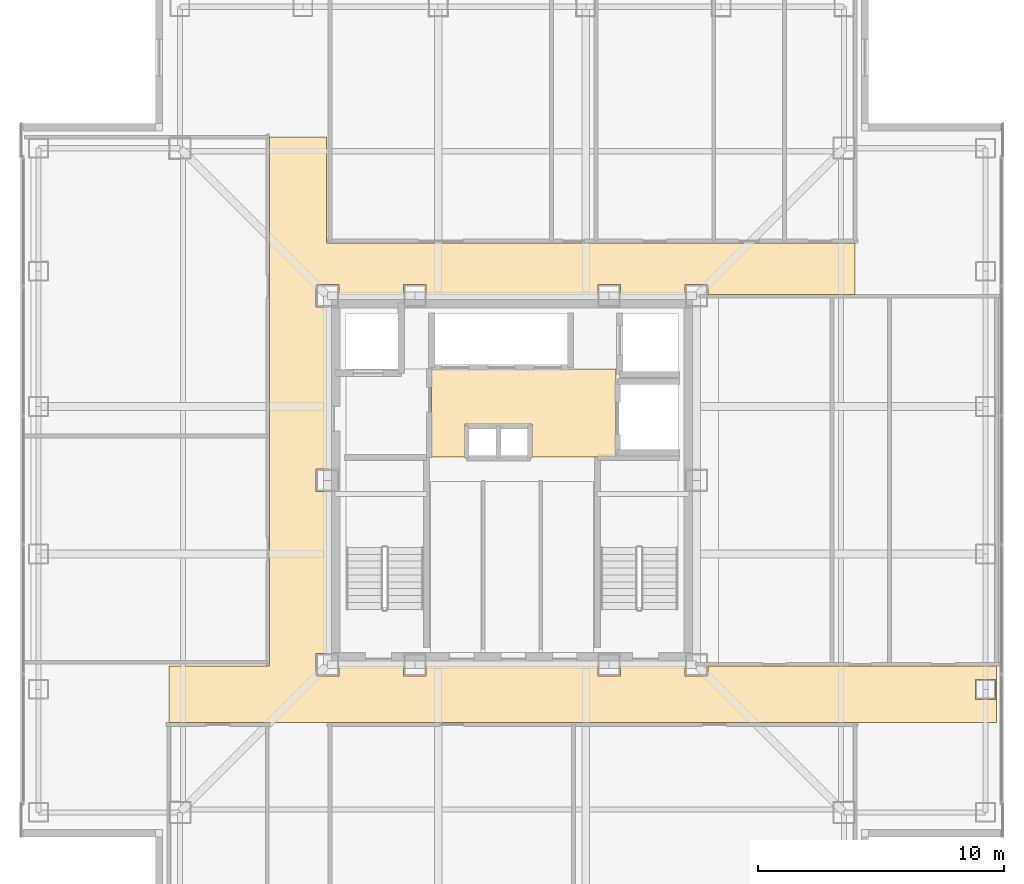
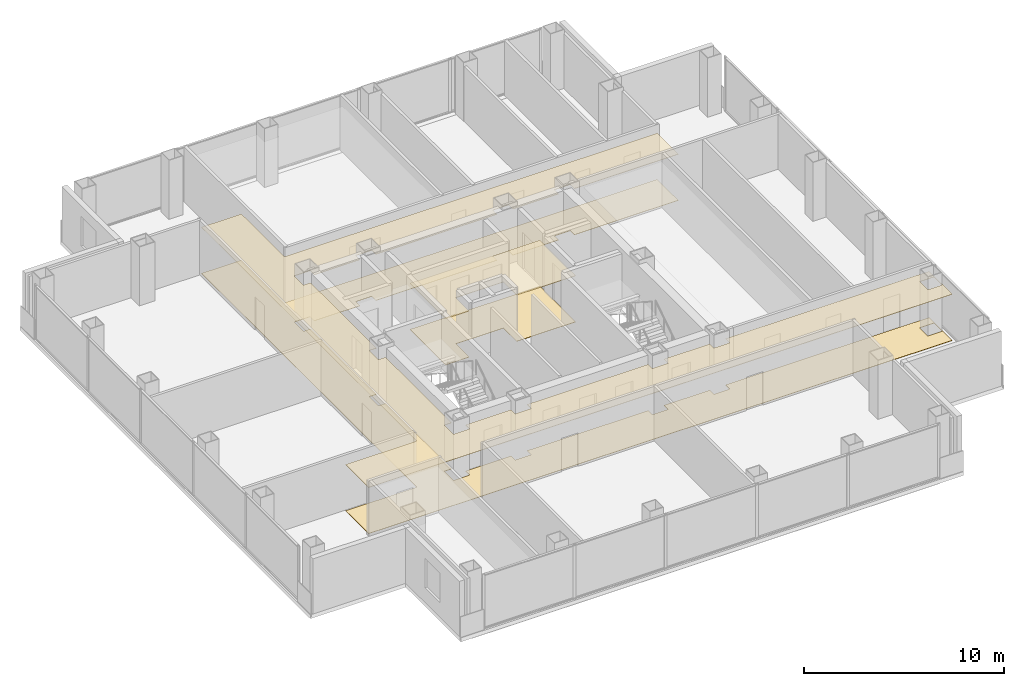
# One storey, part 16 of 18: 4 coverings.
"""IFC4 building model written with IfcOpenShell, lengths in metres."""

import ifcopenshell
import ifcopenshell.guid

model = None  # the IFC model being written
_history = None  # IfcOwnerHistory: only IFC2X3 demands one
_inside = {}  # id of a spatial element -> (the spatial element, [elements in it])
_under = {}  # id of a project, library or spatial element -> (it, [spatial elements below it])
_declared = {}  # id of a project -> (the project, [libraries it declares])
_typed = {}  # id of a type object -> (the type object, [elements of that type])
_made_of = {}  # id of a material, layer set ... -> (it, [elements and type objects made of it])


def new_model(schema):
    """Start an empty IFC model of exactly this schema.

    Asked for "IFC4X3", IfcOpenShell would pick the latest addendum, in which some entities
    have other attributes; the version numbers below select the first issue.
    IFC2X3 requires an IfcOwnerHistory on every rooted entity: one is made here for all.
    """
    global model, _history
    if schema == "IFC4X3":
        model = ifcopenshell.file(schema_version=(4, 3, 0, 0))
    else:
        model = ifcopenshell.file(schema=schema)
    _inside.clear()
    _under.clear()
    _declared.clear()
    _typed.clear()
    _made_of.clear()
    _history = None
    if model.schema == "IFC2X3":
        org = make("IfcOrganization", Name="unknown")
        user = make(
            "IfcPersonAndOrganization",
            ThePerson=make("IfcPerson", FamilyName="unknown"),
            TheOrganization=org,
        )
        app = make(
            "IfcApplication",
            ApplicationDeveloper=org,
            Version="unknown",
            ApplicationFullName="unknown",
            ApplicationIdentifier="unknown",
        )
        _history = make(
            "IfcOwnerHistory",
            OwningUser=user,
            OwningApplication=app,
            ChangeAction="ADDED",
            CreationDate=0,
        )
    return model


def make(cls, **values):
    """One entity of the class cls with the attributes given. An attribute that is None is left unset."""
    return model.create_entity(
        cls, **{name: value for name, value in values.items() if value is not None}
    )


def rooted(cls, **values):
    """An entity with a GlobalId (a new one), such as an element, a storey or a relation."""
    return make(cls, GlobalId=ifcopenshell.guid.new(), OwnerHistory=_history, **values)


def si_unit(unit_type, name, prefix=None):
    """IfcSIUnit, for example si_unit("LENGTHUNIT", "METRE", prefix="MILLI")."""
    return make("IfcSIUnit", UnitType=unit_type, Prefix=prefix, Name=name)


def assignment(units):
    """IfcUnitAssignment: the units of a project."""
    return None if units is None else make("IfcUnitAssignment", Units=units)


def point(xyz):
    """IfcCartesianPoint."""
    return None if xyz is None else make("IfcCartesianPoint", Coordinates=xyz)


def direction(xyz):
    """IfcDirection."""
    return None if xyz is None else make("IfcDirection", DirectionRatios=xyz)


def frame(location, z_axis=None, x_axis=None):
    """IfcAxis2Placement3D, a coordinate frame: its origin and axes. An axis left out is left unset."""
    return make(
        "IfcAxis2Placement3D",
        Location=point(location),
        Axis=direction(z_axis),
        RefDirection=direction(x_axis),
    )


def origin():
    """The frame at (0, 0, 0) with its axes left unset."""
    return frame((0.0, 0.0, 0.0))


def place(relative_to, where):
    """IfcLocalPlacement: puts the frame where relative to a parent placement (None: the world)."""
    return make(
        "IfcLocalPlacement", PlacementRelTo=relative_to, RelativePlacement=where
    )


def context(
    kind, dimensions, precision=None, world=None, true_north=None, identifier=None
):
    """IfcGeometricRepresentationContext, for example the 3D "Model" context."""
    return make(
        "IfcGeometricRepresentationContext",
        ContextIdentifier=identifier,
        ContextType=kind,
        CoordinateSpaceDimension=dimensions,
        Precision=precision,
        WorldCoordinateSystem=world,
        TrueNorth=true_north,
    )


def subcontext(parent, identifier, kind, view, scale=None):
    """IfcGeometricRepresentationSubContext, for example "Body" below "Model"."""
    return make(
        "IfcGeometricRepresentationSubContext",
        ContextIdentifier=identifier,
        ContextType=kind,
        ParentContext=parent,
        TargetScale=scale,
        TargetView=view,
    )


def project(units=None, contexts=None):
    """IfcProject with its units and contexts."""
    return rooted(
        "IfcProject",
        Name="project",
        RepresentationContexts=contexts,
        UnitsInContext=assignment(units),
    )


def spatial(cls, under=None, at=None, **own):
    """A site, building, storey or space (cls), placed at a placement, below another one or the project."""
    s = rooted(cls, ObjectPlacement=at, **own)
    if under is not None:
        _under.setdefault(under.id(), (under, []))[1].append(s)
    return s


def polyline(points):
    """IfcPolyline through the points."""
    return make("IfcPolyline", Points=[point(p) for p in points])


def outline(outer, holes=None, kind="AREA"):
    """IfcArbitraryClosedProfileDef: a profile drawn as a closed curve; with holes, ...WithVoids."""
    if holes is None:
        return make("IfcArbitraryClosedProfileDef", ProfileType=kind, OuterCurve=outer)
    return make(
        "IfcArbitraryProfileDefWithVoids",
        ProfileType=kind,
        OuterCurve=outer,
        InnerCurves=holes,
    )


def extrude(swept, where, along, depth):
    """IfcExtrudedAreaSolid: the profile swept, set in the frame where, extruded along a direction by depth."""
    return make(
        "IfcExtrudedAreaSolid",
        SweptArea=swept,
        Position=where,
        ExtrudedDirection=direction(along),
        Depth=depth,
    )


def shape(context_of_items, identifier, shape_type, items):
    """IfcShapeRepresentation: the items that make up one representation, for example the "Body"."""
    return make(
        "IfcShapeRepresentation",
        ContextOfItems=context_of_items,
        RepresentationIdentifier=identifier,
        RepresentationType=shape_type,
        Items=items,
    )


def material(Name=None, Category=None):
    """IfcMaterial."""
    return make("IfcMaterial", Name=Name, Category=Category)


def layer(
    of_material, thickness, ventilated=None, Name=None, Category=None, Priority=None
):
    """IfcMaterialLayer: one layer of a wall or slab, of a material (None: an air gap)."""
    return make(
        "IfcMaterialLayer",
        Material=of_material,
        LayerThickness=thickness,
        IsVentilated=ventilated,
        Name=Name,
        Category=Category,
        Priority=Priority,
    )


def layer_set(layers, Name=None):
    """IfcMaterialLayerSet."""
    return make("IfcMaterialLayerSet", MaterialLayers=layers, LayerSetName=Name)


def made_of(thing, what):
    """Note that an element or type object is made of a material, layer set ...; save() writes the relation."""
    if what is not None:
        _made_of.setdefault(what.id(), (what, []))[1].append(thing)
    return thing


def type_object(cls, material=None, **own):
    """A type object (cls), such as IfcWallType, which elements share."""
    return made_of(rooted(cls, **own), material)


def element(
    cls,
    number,
    at=None,
    inside=None,
    cuts=None,
    type_object=None,
    material=None,
    context=None,
    identifier="Body",
    shape_type=None,
    held_by="IfcProductDefinitionShape",
    body=None,
    shapes=None,
    **own,
):
    """One element of the class cls, such as IfcWall. Its Tag is "e" and its number.

    at: its placement. inside: the storey or other place that contains it. cuts: it is an
    opening in that element (IfcRelVoidsElement). A single representation is given by context,
    identifier, shape_type and body (its items); several are given by shapes. held_by: the class
    of the entity that holds the representations. save() writes the other relations.
    """
    e = rooted(cls, Tag="e%d" % number, ObjectPlacement=at, **own)
    if body is not None:
        shapes = [shape(context, identifier, shape_type, body)]
    if shapes is not None:
        e.Representation = make(held_by, Representations=shapes)
    if inside is not None:
        _inside.setdefault(inside.id(), (inside, []))[1].append(e)
    if cuts is not None:
        rooted(
            "IfcRelVoidsElement", RelatingBuildingElement=cuts, RelatedOpeningElement=e
        )
    if type_object is not None:
        _typed.setdefault(type_object.id(), (type_object, []))[1].append(e)
    return made_of(e, material)


def aggregate(whole, parts):
    """IfcRelAggregates: a whole, such as a stair, and the parts it consists of."""
    return rooted("IfcRelAggregates", RelatingObject=whole, RelatedObjects=parts)


def save(model, path):
    """Write the relations noted so far, then the file.

    IfcRelAggregates (storeys below a building ...), IfcRelContainedInSpatialStructure (elements
    in a storey), IfcRelDefinesByType, IfcRelAssociatesMaterial and IfcRelDeclares: one each for
    every whole, place, type object, material and project.
    """
    for whole, parts in _under.values():
        aggregate(whole, parts)
    for where, things in _inside.values():
        rooted(
            "IfcRelContainedInSpatialStructure",
            RelatedElements=things,
            RelatingStructure=where,
        )
    for kind, things in _typed.values():
        rooted("IfcRelDefinesByType", RelatedObjects=things, RelatingType=kind)
    for what, things in _made_of.values():
        rooted("IfcRelAssociatesMaterial", RelatedObjects=things, RelatingMaterial=what)
    for by, libraries in _declared.values():
        rooted("IfcRelDeclares", RelatingContext=by, RelatedDefinitions=libraries)
    model.write(path)


model = new_model("IFC4")

# Units and contexts
model_context = context("Model", 3, precision=1e-05, world=origin(), true_north=direction((0.0, 1.0)))
body_context = subcontext(model_context, "Body", "Model", "MODEL_VIEW")
ifc_project = project(units=[si_unit("LENGTHUNIT", "METRE"), si_unit("AREAUNIT", "SQUARE_METRE"), si_unit("VOLUMEUNIT", "CUBIC_METRE"), si_unit("PLANEANGLEUNIT", "RADIAN"), si_unit("MASSUNIT", "GRAM", prefix="KILO")], contexts=[model_context])

# Site, building, storey
site_placement = place(None, origin())
site = spatial("IfcSite", under=ifc_project, at=site_placement, CompositionType="ELEMENT")
building_placement = place(site_placement, origin())
building = spatial("IfcBuilding", under=site, at=building_placement, Name="Trevonay Congress Spire", CompositionType="ELEMENT")
storey_placement = place(building_placement, frame((0.0, 0.0, 220.199951171875)))
storey = spatial("IfcBuildingStorey", under=building, at=storey_placement, Name="L57", CompositionType="ELEMENT", Elevation=220.199951171875)

# Coverings
ifc_material_1 = material(Name="Acoustic Mineral Fibre Board", Category="gypsum")
ifc_layer_1 = layer(ifc_material_1, 0.02490234375, Name="Acoustic Mineral Fibre Board")
ifc_layer_set_1 = layer_set([ifc_layer_1], Name="Acoustic Mineral Fibre Board")
covering_type_1 = type_object("IfcCoveringType", Name="COV-CEIL-ACOUSTIC", PredefinedType="CEILING", material=ifc_layer_set_1)
covering_1_placement = place(storey_placement, frame((0.0, 0.0, 2.81005859375)))
element("IfcCovering", 1, at=covering_1_placement, inside=storey, type_object=covering_type_1, Name="L57 Central and High-Rise Passenger Lift Lobby acoustic suspended ceiling", PredefinedType="CEILING", context=body_context, shape_type="SweptSolid", body=[
    extrude(outline(polyline([(-3.280029296875, 0.949951171875), (-1.919921875, 0.949951171875), (-1.919921875, 2.280029296875), (0.820068359375, 2.280029296875), (0.820068359375, 0.949951171875), (4.219970703125, 0.949951171875), (4.219970703125, 4.52001953125), (-3.280029296875, 4.52001953125), (-3.280029296875, 0.949951171875)])), origin(), (0.0, 0.0, 1.0), 0.02490234375),
])
covering_2_placement = place(storey_placement, frame((0.0, 0.0, 2.81005859375)))
element("IfcCovering", 2, at=covering_2_placement, inside=storey, type_object=covering_type_1, Name="L57 Cruciform Boulevard Corridor acoustic suspended ceiling", PredefinedType="CEILING", context=body_context, shape_type="SweptSolid", body=[
    extrude(outline(polyline([(19.699951171875, -7.550048828125), (19.699951171875, -9.85009765625), (-13.949951171875, -9.85009765625), (-13.949951171875, -7.550048828125), (-9.85009765625, -7.550048828125), (-9.85009765625, 13.949951171875), (-7.550048828125, 13.949951171875), (-7.550048828125, 9.64990234375), (13.949951171875, 9.64990234375), (13.949951171875, 7.550048828125), (7.9599609375, 7.550048828125), (7.9599609375, 7.9599609375), (7.0400390625, 7.9599609375), (7.0400390625, 7.550048828125), (4.409912109375, 7.550048828125), (4.409912109375, 7.9599609375), (3.489990234375, 7.9599609375), (3.489990234375, 7.550048828125), (-3.489990234375, 7.550048828125), (-3.489990234375, 7.9599609375), (-4.409912109375, 7.9599609375), (-4.409912109375, 7.550048828125), (-7.0400390625, 7.550048828125), (-7.0400390625, 7.9599609375), (-7.9599609375, 7.9599609375), (-7.9599609375, 7.0400390625), (-7.550048828125, 7.0400390625), (-7.550048828125, 0.4599609375), (-7.9599609375, 0.4599609375), (-7.9599609375, -0.4599609375), (-7.550048828125, -0.4599609375), (-7.550048828125, -7.0400390625), (-7.9599609375, -7.0400390625), (-7.9599609375, -7.9599609375), (-7.0400390625, -7.9599609375), (-7.0400390625, -7.550048828125), (-4.409912109375, -7.550048828125), (-4.409912109375, -7.9599609375), (-3.489990234375, -7.9599609375), (-3.489990234375, -7.550048828125), (3.489990234375, -7.550048828125), (3.489990234375, -7.9599609375), (4.409912109375, -7.9599609375), (4.409912109375, -7.550048828125), (7.0400390625, -7.550048828125), (7.0400390625, -7.9599609375), (7.9599609375, -7.9599609375), (7.9599609375, -7.550048828125), (19.699951171875, -7.550048828125)]), holes=[polyline([(19.659912109375, -8.090087890625), (18.840087890625, -8.090087890625), (18.840087890625, -8.909912109375), (19.659912109375, -8.909912109375), (19.659912109375, -8.090087890625)])]), origin(), (0.0, 0.0, 1.0), 0.02490234375),
])
ifc_material_2 = material(Name="Polished Granite Floor Tile", Category="masonry")
ifc_layer_2 = layer(ifc_material_2, 0.02001953125, Name="Polished Granite Floor Tile")
ifc_layer_set_2 = layer_set([ifc_layer_2], Name="Polished Granite Floor Tile")
covering_type_2 = type_object("IfcCoveringType", Name="COV-FLOOR-STONE", PredefinedType="FLOORING", material=ifc_layer_set_2)
covering_3_placement = place(storey_placement, origin())
element("IfcCovering", 3, at=covering_3_placement, inside=storey, type_object=covering_type_2, Name="L57 Central and High-Rise Passenger Lift Lobby floor finish", PredefinedType="FLOORING", context=body_context, shape_type="SweptSolid", body=[
    extrude(outline(polyline([(-3.280029296875, 0.949951171875), (-1.919921875, 0.949951171875), (-1.919921875, 2.280029296875), (0.820068359375, 2.280029296875), (0.820068359375, 0.949951171875), (4.219970703125, 0.949951171875), (4.219970703125, 4.52001953125), (-3.280029296875, 4.52001953125), (-3.280029296875, 0.949951171875)])), origin(), (0.0, 0.0, 1.0), 0.02001953125),
])
covering_4_placement = place(storey_placement, origin())
element("IfcCovering", 4, at=covering_4_placement, inside=storey, type_object=covering_type_2, Name="L57 Cruciform Boulevard Corridor floor finish", PredefinedType="FLOORING", context=body_context, shape_type="SweptSolid", body=[
    extrude(outline(polyline([(19.699951171875, -7.550048828125), (19.699951171875, -9.85009765625), (-13.949951171875, -9.85009765625), (-13.949951171875, -7.550048828125), (-9.85009765625, -7.550048828125), (-9.85009765625, 13.949951171875), (-7.550048828125, 13.949951171875), (-7.550048828125, 9.64990234375), (13.949951171875, 9.64990234375), (13.949951171875, 7.550048828125), (7.9599609375, 7.550048828125), (7.9599609375, 7.9599609375), (7.0400390625, 7.9599609375), (7.0400390625, 7.550048828125), (4.409912109375, 7.550048828125), (4.409912109375, 7.9599609375), (3.489990234375, 7.9599609375), (3.489990234375, 7.550048828125), (-3.489990234375, 7.550048828125), (-3.489990234375, 7.9599609375), (-4.409912109375, 7.9599609375), (-4.409912109375, 7.550048828125), (-7.0400390625, 7.550048828125), (-7.0400390625, 7.9599609375), (-7.9599609375, 7.9599609375), (-7.9599609375, 7.0400390625), (-7.550048828125, 7.0400390625), (-7.550048828125, 0.4599609375), (-7.9599609375, 0.4599609375), (-7.9599609375, -0.4599609375), (-7.550048828125, -0.4599609375), (-7.550048828125, -7.0400390625), (-7.9599609375, -7.0400390625), (-7.9599609375, -7.9599609375), (-7.0400390625, -7.9599609375), (-7.0400390625, -7.550048828125), (-4.409912109375, -7.550048828125), (-4.409912109375, -7.9599609375), (-3.489990234375, -7.9599609375), (-3.489990234375, -7.550048828125), (3.489990234375, -7.550048828125), (3.489990234375, -7.9599609375), (4.409912109375, -7.9599609375), (4.409912109375, -7.550048828125), (7.0400390625, -7.550048828125), (7.0400390625, -7.9599609375), (7.9599609375, -7.9599609375), (7.9599609375, -7.550048828125), (19.699951171875, -7.550048828125)]), holes=[polyline([(19.659912109375, -8.090087890625), (18.840087890625, -8.090087890625), (18.840087890625, -8.909912109375), (19.659912109375, -8.909912109375), (19.659912109375, -8.090087890625)])]), origin(), (0.0, 0.0, 1.0), 0.02001953125),
])

save(model, "model.ifc")
